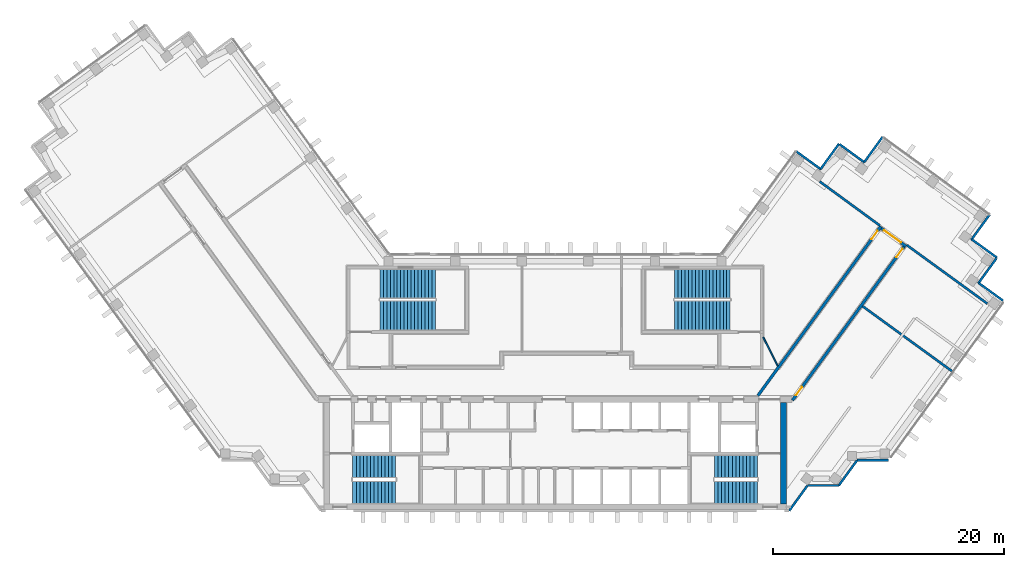
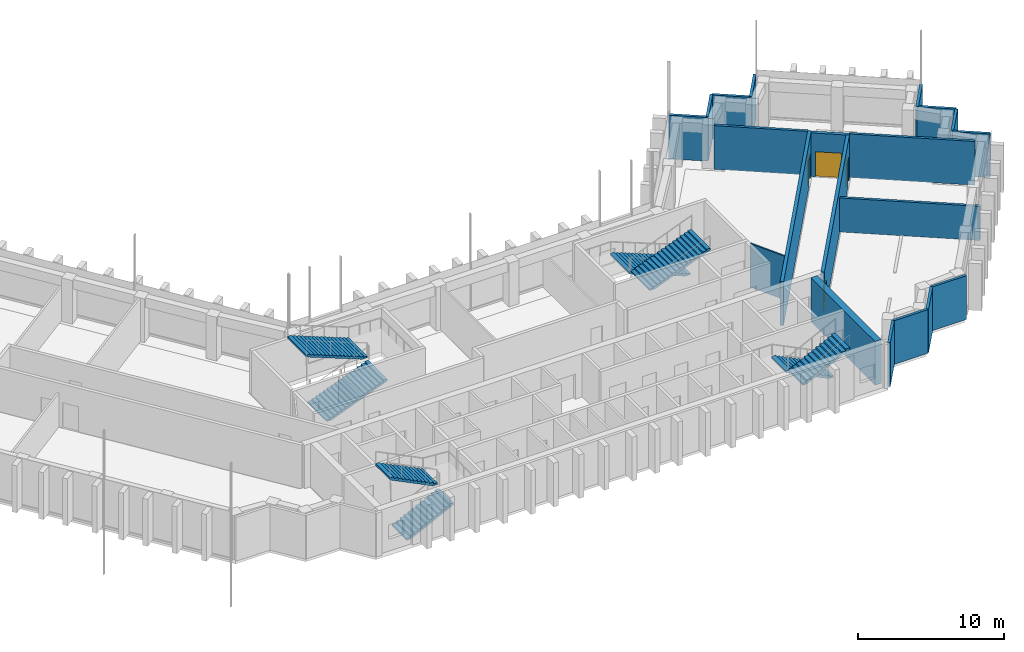
# One storey, part 10 of 12: 20 walls, 8 stair flights, 4 doors, 4 openings, 4 elements without a shape of their own.
"""IFC4 building model written with IfcOpenShell, lengths in metres."""

from ifc_helpers import new_model, si_unit, direction, frame, frame_2d, origin, place, context, subcontext, project, spatial, polyline, rectangle, outline, extrude, material, layer, layer_set, type_object, element, fill, aggregate, save


model = new_model("IFC4")

# Units and contexts
model_context = context("Model", 3, precision=1e-05, world=origin(), true_north=direction((0.0, 1.0)))
body_context = subcontext(model_context, "Body", "Model", "MODEL_VIEW")
ifc_project = project(units=[si_unit("LENGTHUNIT", "METRE"), si_unit("AREAUNIT", "SQUARE_METRE"), si_unit("VOLUMEUNIT", "CUBIC_METRE"), si_unit("PLANEANGLEUNIT", "RADIAN"), si_unit("MASSUNIT", "GRAM", prefix="KILO")], contexts=[model_context])

# Site, building, storey
site_placement = place(None, origin())
site = spatial("IfcSite", under=ifc_project, at=site_placement, CompositionType="ELEMENT")
building_placement = place(site_placement, origin())
building = spatial("IfcBuilding", under=site, at=building_placement, Name="Quipu Civic Tower", CompositionType="ELEMENT")
storey_placement = place(building_placement, frame((0.0, 0.0, 210.0)))
storey = spatial("IfcBuildingStorey", under=building, at=storey_placement, Name="L49", CompositionType="ELEMENT", Elevation=210.0)

# Walls
ifc_material_1 = material(Name="Fired clay blockwork", Category="masonry")
ifc_layer_1 = layer(ifc_material_1, 0.199951171875)
ifc_layer_set_1 = layer_set([ifc_layer_1], Name="Fired clay blockwork")
wall_type_1 = type_object("IfcWallType", Name="Blockwork wall 200", PredefinedType="SOLIDWALL", material=ifc_layer_set_1)
wall_1_placement = place(storey_placement, frame((34.40283203125, 0.937744140625, 0.0), z_axis=(0.0, 0.0, 1.0), x_axis=(-0.808990890476, 0.587821179549, 0.0)))
element("IfcWall", 1, at=wall_1_placement, inside=storey, type_object=wall_type_1, Name="Partition P06", PredefinedType="SOLIDWALL", context=body_context, shape_type="SweptSolid", body=[
    extrude(rectangle(XDim=9.651123046875, YDim=0.199951171875, at=frame_2d((4.82568359375, 0.0))), origin(), (0.0, 0.0, 1.0), 2.85009765625),
])
wall_2_placement = place(storey_placement, frame((22.884033203125, 17.400634765625, 0.0), z_axis=(0.0, 0.0, 1.0), x_axis=(0.80698686941, -0.590569380005, 0.0)))
element("IfcWall", 2, at=wall_2_placement, inside=storey, type_object=wall_type_1, Name="Partition P08", PredefinedType="SOLIDWALL", context=body_context, shape_type="SweptSolid", body=[
    extrude(rectangle(XDim=6.465087890625, YDim=0.199951171875, at=frame_2d((3.232421875, 0.0))), origin(), (0.0, 0.0, 1.0), 3.64990234375),
])
wall_3_placement = place(storey_placement, frame((30.414794921875, 11.901611328125, 0.0), z_axis=(0.0, 0.0, 1.0), x_axis=(0.809012783133, -0.587791048526, 0.0)))
element("IfcWall", 3, at=wall_3_placement, inside=storey, type_object=wall_type_1, Name="Partition P09", PredefinedType="SOLIDWALL", context=body_context, shape_type="SweptSolid", body=[
    extrude(rectangle(XDim=8.6201171875, YDim=0.199951171875, at=frame_2d((4.31005859375, 0.0))), origin(), (0.0, 0.0, 1.0), 3.64990234375),
])
ifc_material_2 = material(Name="Concrete C70/85", Category="concrete")
ifc_layer_2 = layer(ifc_material_2, 0.5)
ifc_layer_set_2 = layer_set([ifc_layer_2], Name="Concrete C70/85")
wall_type_2 = type_object("IfcWallType", Name="Core wall 500", PredefinedType="SHEAR", material=ifc_layer_set_2)
wall_4_placement = place(storey_placement, frame((19.75, -10.5, 0.0), z_axis=(0.0, 0.0, 1.0), x_axis=(0.0, 1.0, 0.0)))
element("IfcWall", 4, at=wall_4_placement, inside=storey, type_object=wall_type_2, Name="Core wall", PredefinedType="SHEAR", context=body_context, shape_type="SweptSolid", body=[
    extrude(rectangle(XDim=8.800048828125, YDim=0.5, at=frame_2d((4.39990234375, 0.0))), origin(), (0.0, 0.0, 1.0), 3.64990234375),
])

# Wall, opening, door
ifc_material_3 = material(Name="Concrete C50/60", Category="concrete")
ifc_layer_3 = layer(ifc_material_3, 0.25)
ifc_layer_set_3 = layer_set([ifc_layer_3], Name="Concrete C50/60")
wall_type_3 = type_object("IfcWallType", Name="Corridor wall 250 concrete", PredefinedType="SOLIDWALL", material=ifc_layer_set_3)
wall_5_placement = place(storey_placement, frame((17.544921875, -1.124755859375, 0.0), z_axis=(0.0, 0.0, 1.0), x_axis=(0.58779555165, 0.809009511354, 0.0)))
wall_5 = element("IfcWall", 5, at=wall_5_placement, inside=storey, type_object=wall_type_3, Name="Corridor wall C01", PredefinedType="SOLIDWALL", context=body_context, shape_type="SweptSolid", body=[
    extrude(rectangle(XDim=18.10302734375, YDim=0.25, at=frame_2d((9.051513671875, 0.0))), origin(), (0.0, 0.0, 1.0), 3.64990234375),
])
opening_1_placement = place(wall_5_placement, frame((16.72802734375, 0.0, 0.0)))
opening_1 = element("IfcOpeningElement", 6, at=opening_1_placement, cuts=wall_5, Name="Opening D001", PredefinedType="OPENING", context=body_context, shape_type="SweptSolid", body=[
    extrude(rectangle(XDim=0.89990234375, YDim=2.10009765625, at=frame_2d((0.449951171875, 1.050048828125))), frame((0.0, 0.135009765625, 0.0), z_axis=(0.0, -1.0, 0.0), x_axis=(1.0, 0.0, 0.0)), (0.0, 0.0, 1.0), 0.27001953125),
])
ifc_material_4 = material(Name="Fire rated timber door set with metal frame", Category="wood")
door_type_1 = type_object("IfcDoorType", Name="Single door 900 x 2100 FD60", OperationType="NOTDEFINED", PredefinedType="DOOR", material=ifc_material_4)
door_1_placement = place(opening_1_placement, origin())
door_1 = element("IfcDoor", 7, at=door_1_placement, inside=storey, type_object=door_type_1, Name="Door D001", OperationType="SINGLE_SWING_RIGHT", OverallHeight=2.10009765625, OverallWidth=0.89990234375, PredefinedType="DOOR", context=body_context, shape_type="SweptSolid", body=[
    extrude(rectangle(XDim=0.89990234375, YDim=2.10009765625, at=frame_2d((0.449951171875, 1.050048828125))), frame((0.0, 0.02490234375, 0.0), z_axis=(0.0, -1.0, 0.0), x_axis=(1.0, 0.0, 0.0)), (0.0, 0.0, 1.0), 0.050048828125),
])
fill(opening_1, door_1)

wall_6_placement = place(storey_placement, frame((28.21337890625, 13.34619140625, 0.0), z_axis=(0.0, 0.0, 1.0), x_axis=(0.809006914995, -0.587799125119, 0.0)))
wall_6 = element("IfcWall", 8, at=wall_6_placement, inside=storey, type_object=wall_type_3, Name="Corridor wall C02", PredefinedType="SOLIDWALL", context=body_context, shape_type="SweptSolid", body=[
    extrude(rectangle(XDim=2.64990234375, YDim=0.25, at=frame_2d((1.324951171875, 0.0))), origin(), (0.0, 0.0, 1.0), 3.64990234375),
])
opening_2_placement = place(wall_6_placement, frame((0.30029296875, 0.0, 0.0)))
opening_2 = element("IfcOpeningElement", 9, at=opening_2_placement, cuts=wall_6, Name="Opening D004", PredefinedType="OPENING", context=body_context, shape_type="SweptSolid", body=[
    extrude(rectangle(XDim=1.800048828125, YDim=2.10009765625, at=frame_2d((0.89990234375, 1.050048828125))), frame((0.0, 0.135009765625, 0.0), z_axis=(0.0, -1.0, 0.0), x_axis=(1.0, 0.0, 0.0)), (0.0, 0.0, 1.0), 0.27001953125),
])
ifc_material_5 = material(Name="Fire rated timber door set with metal frame", Category="wood")
door_type_2 = type_object("IfcDoorType", Name="Double door 1800 x 2100 FD60", OperationType="DOUBLE_DOOR_SINGLE_SWING", PredefinedType="DOOR", material=ifc_material_5)
door_2_placement = place(opening_2_placement, origin())
door_2 = element("IfcDoor", 10, at=door_2_placement, inside=storey, type_object=door_type_2, Name="Door D004", OperationType="DOUBLE_DOOR_SINGLE_SWING", OverallHeight=2.10009765625, OverallWidth=1.800048828125, PredefinedType="DOOR", context=body_context, shape_type="SweptSolid", body=[
    extrude(rectangle(XDim=1.800048828125, YDim=2.10009765625, at=frame_2d((0.89990234375, 1.050048828125))), frame((0.0, 0.02490234375, 0.0), z_axis=(0.0, -1.0, 0.0), x_axis=(1.0, 0.0, 0.0)), (0.0, 0.0, 1.0), 0.050048828125),
])
fill(opening_2, door_2)

# Wall, openings, doors
wall_7_placement = place(storey_placement, frame((30.1826171875, 11.760986328125, 0.0), z_axis=(0.0, 0.0, 1.0), x_axis=(-0.587781762867, -0.80901952958, 0.0)))
wall_7 = element("IfcWall", 11, at=wall_7_placement, inside=storey, type_object=wall_type_3, Name="Corridor wall C03", PredefinedType="SOLIDWALL", context=body_context, shape_type="SweptSolid", body=[
    extrude(rectangle(XDim=16.42041015625, YDim=0.25, at=frame_2d((8.210205078125, 0.0))), origin(), (0.0, 0.0, 1.0), 3.64990234375),
])
opening_3_placement = place(wall_7_placement, frame((14.987548828125, 0.0, 0.0)))
opening_3 = element("IfcOpeningElement", 12, at=opening_3_placement, cuts=wall_7, Name="Opening D002", PredefinedType="OPENING", context=body_context, shape_type="SweptSolid", body=[
    extrude(rectangle(XDim=0.89990234375, YDim=2.10009765625, at=frame_2d((0.449951171875, 1.050048828125))), frame((0.0, 0.135009765625, 0.0), z_axis=(0.0, -1.0, 0.0), x_axis=(1.0, 0.0, 0.0)), (0.0, 0.0, 1.0), 0.27001953125),
])
opening_4_placement = place(wall_7_placement, frame((0.224609375, 0.0, 0.0)))
opening_4 = element("IfcOpeningElement", 13, at=opening_4_placement, cuts=wall_7, Name="Opening D003", PredefinedType="OPENING", context=body_context, shape_type="SweptSolid", body=[
    extrude(rectangle(XDim=0.89990234375, YDim=2.10009765625, at=frame_2d((0.449951171875, 1.050048828125))), frame((0.0, 0.135009765625, 0.0), z_axis=(0.0, -1.0, 0.0), x_axis=(1.0, 0.0, 0.0)), (0.0, 0.0, 1.0), 0.27001953125),
])
door_3_placement = place(opening_3_placement, origin())
door_3 = element("IfcDoor", 14, at=door_3_placement, inside=storey, type_object=door_type_1, Name="Door D002", OperationType="SINGLE_SWING_RIGHT", OverallHeight=2.10009765625, OverallWidth=0.89990234375, PredefinedType="DOOR", context=body_context, shape_type="SweptSolid", body=[
    extrude(rectangle(XDim=0.89990234375, YDim=2.10009765625, at=frame_2d((0.449951171875, 1.050048828125))), frame((0.0, 0.02490234375, 0.0), z_axis=(0.0, -1.0, 0.0), x_axis=(1.0, 0.0, 0.0)), (0.0, 0.0, 1.0), 0.050048828125),
])
fill(opening_3, door_3)
door_4_placement = place(opening_4_placement, origin())
door_4 = element("IfcDoor", 15, at=door_4_placement, inside=storey, type_object=door_type_1, Name="Door D003", OperationType="SINGLE_SWING_LEFT", OverallHeight=2.10009765625, OverallWidth=0.89990234375, PredefinedType="DOOR", context=body_context, shape_type="SweptSolid", body=[
    extrude(rectangle(XDim=0.89990234375, YDim=2.10009765625, at=frame_2d((0.449951171875, 1.050048828125))), frame((0.0, 0.02490234375, 0.0), z_axis=(0.0, -1.0, 0.0), x_axis=(1.0, 0.0, 0.0)), (0.0, 0.0, 1.0), 0.050048828125),
])
fill(opening_4, door_4)

# Walls
ifc_material_6 = material(Name="Gypsum plasterboard on light gauge framing")
ifc_layer_4 = layer(ifc_material_6, 0.1201171875)
ifc_layer_set_4 = layer_set([ifc_layer_4], Name="Gypsum plasterboard on light gauge framing")
wall_type_4 = type_object("IfcWallType", Name="Partition 120 plasterboard", PredefinedType="PARTITIONING", material=ifc_layer_set_4)
wall_8_placement = place(storey_placement, frame((18.0, 3.925048828125, 0.0), z_axis=(0.0, 0.0, 1.0), x_axis=(0.453950796792, -0.891026752736, 0.0)))
element("IfcWall", 16, at=wall_8_placement, inside=storey, type_object=wall_type_4, Name="Partition P11", PredefinedType="PARTITIONING", context=body_context, shape_type="SweptSolid", body=[
    extrude(rectangle(XDim=2.77783203125, YDim=0.1201171875, at=frame_2d((1.388916015625, 0.0))), origin(), (0.0, 0.0, 1.0), 3.64990234375),
])
ifc_material_7 = material(Name="Precast concrete C40/50", Category="concrete")
wall_type_5 = type_object("IfcWallType", Name="Precast cladding wall", PredefinedType="SOLIDWALL", material=ifc_material_7)
wall_9_placement = place(storey_placement, frame((38.747802734375, 7.08984375, 0.0), z_axis=(0.0, 0.0, 1.0), x_axis=(-0.80901210161, 0.587791986546, 0.0)))
element("IfcWall", 17, at=wall_9_placement, inside=storey, type_object=wall_type_5, Name="Precast cladding wall L49 P01", PredefinedType="SOLIDWALL", context=body_context, shape_type="SweptSolid", body=[
    extrude(rectangle(XDim=2.60009765625, YDim=0.199951171875, at=frame_2d((1.300048828125, 0.0))), origin(), (0.0, 0.0, 1.0), 3.64990234375),
])
for number, where, z_axis, x_axis, name in (
    (18, (36.60205078125, 8.580322265625, 0.0), (0.0, 0.0, 1.0), (0.587822180636, 0.808990163075, 0.0), "Precast cladding wall L49 P02"),
    (19, (38.231201171875, 10.80224609375, 0.0), (0.0, 0.0, 1.0), (-0.808958916286, 0.58786518162, 0.0), "Precast cladding wall L49 P03"),
):
    element("IfcWall", number, at=place(storey_placement, frame(where, z_axis=z_axis, x_axis=x_axis)), inside=storey, type_object=wall_type_5, Name=name, PredefinedType="SOLIDWALL", context=body_context, shape_type="SweptSolid", body=[
        extrude(rectangle(XDim=2.699951171875, YDim=0.199951171875, at=frame_2d((1.35009765625, 0.0))), origin(), (0.0, 0.0, 1.0), 3.64990234375),
    ])
wall_10_placement = place(storey_placement, frame((20.253173828125, -11.083251953125, 0.0), z_axis=(0.0, 0.0, 1.0), x_axis=(0.587766567315, 0.809030569476, 0.0)))
element("IfcWall", 20, at=wall_10_placement, inside=storey, type_object=wall_type_5, Name="Precast cladding wall L49 P23", PredefinedType="SOLIDWALL", context=body_context, shape_type="SweptSolid", body=[
    extrude(rectangle(XDim=2.687744140625, YDim=0.199951171875, at=frame_2d((1.34375, 0.0))), origin(), (0.0, 0.0, 1.0), 3.64990234375),
])
for number, where, z_axis, x_axis, name in (
    (21, (36.0048828125, 12.3515625, 0.0), (0.0, 0.0, 1.0), (0.587762999008, 0.809033161865, 0.0), "Precast cladding wall L49 P24"),
    (22, (28.333984375, 21.26220703125, 0.0), (0.0, 0.0, 1.0), (-0.587762999008, -0.809033161865, 0.0), "Precast cladding wall L49 P26"),
):
    element("IfcWall", number, at=place(storey_placement, frame(where, z_axis=z_axis, x_axis=x_axis)), inside=storey, type_object=wall_type_5, Name=name, PredefinedType="SOLIDWALL", context=body_context, shape_type="SweptSolid", body=[
        extrude(rectangle(XDim=2.699951171875, YDim=0.199951171875, at=frame_2d((1.35009765625, 0.0))), origin(), (0.0, 0.0, 1.0), 3.64990234375),
    ])
wall_11_placement = place(storey_placement, frame((26.78466796875, 19.03564453125, 0.0), z_axis=(0.0, 0.0, 1.0), x_axis=(-0.809064397168, 0.587720002413, 0.0)))
element("IfcWall", 23, at=wall_11_placement, inside=storey, type_object=wall_type_5, Name="Precast cladding wall L49 P27", PredefinedType="SOLIDWALL", context=body_context, shape_type="SweptSolid", body=[
    extrude(rectangle(XDim=2.7001953125, YDim=0.199951171875, at=frame_2d((1.35009765625, 0.0))), origin(), (0.0, 0.0, 1.0), 3.64990234375),
])
for number, where, z_axis, x_axis, name in (
    (24, (24.562744140625, 20.664794921875, 0.0), (0.0, 0.0, 1.0), (-0.587822180636, -0.808990163075, 0.0), "Precast cladding wall L49 P28"),
    (25, (23.01318359375, 18.438232421875, 0.0), (0.0, 0.0, 1.0), (-0.808990163075, 0.587822180636, 0.0), "Precast cladding wall L49 P29"),
    (26, (21.8427734375, -8.90380859375, 0.0), (0.0, 0.0, 1.0), (1.0, 0.0, 0.0), "Precast cladding wall L49 1"),
):
    element("IfcWall", number, at=place(storey_placement, frame(where, z_axis=z_axis, x_axis=x_axis)), inside=storey, type_object=wall_type_5, Name=name, PredefinedType="SOLIDWALL", context=body_context, shape_type="SweptSolid", body=[
        extrude(rectangle(XDim=2.699951171875, YDim=0.199951171875, at=frame_2d((1.35009765625, 0.0))), origin(), (0.0, 0.0, 1.0), 3.64990234375),
    ])
wall_12_placement = place(storey_placement, frame((24.533203125, -8.90869140625, 0.0), z_axis=(0.0, 0.0, 1.0), x_axis=(0.587720002413, 0.809064397168, 0.0)))
element("IfcWall", 27, at=wall_12_placement, inside=storey, type_object=wall_type_5, Name="Precast cladding wall L49 2", PredefinedType="SOLIDWALL", context=body_context, shape_type="SweptSolid", body=[
    extrude(rectangle(XDim=2.7001953125, YDim=0.199951171875, at=frame_2d((1.35009765625, 0.0))), origin(), (0.0, 0.0, 1.0), 3.64990234375),
])
wall_13_placement = place(storey_placement, frame((26.1298828125, -6.71923828125, 0.0), z_axis=(0.0, 0.0, 1.0), x_axis=(1.0, 0.0, 0.0)))
element("IfcWall", 28, at=wall_13_placement, inside=storey, type_object=wall_type_5, Name="Precast cladding wall L49 3", PredefinedType="SOLIDWALL", context=body_context, shape_type="SweptSolid", body=[
    extrude(rectangle(XDim=2.699951171875, YDim=0.199951171875, at=frame_2d((1.35009765625, 0.0))), origin(), (0.0, 0.0, 1.0), 3.64990234375),
])

# Stair, stair flights
ifc_material_8 = material(Name="Concrete C40/50", Category="concrete")
stair_type_1 = type_object("IfcStairType", Name="Half turn stair 2000", PredefinedType="HALF_TURN_STAIR", material=ifc_material_8)
stair_1_placement = place(storey_placement, origin())
stair_1 = element("IfcStair", 29, at=stair_1_placement, inside=storey, type_object=stair_type_1, Name="Exit stair 1", PredefinedType="HALF_TURN_STAIR")
ifc_material_9 = material(Name="Concrete C40/50", Category="concrete")
stair_flight_type_1 = type_object("IfcStairFlightType", Name="Stair flight 2000", PredefinedType="STRAIGHT", material=ifc_material_9)
stair_flight_1_placement = place(storey_placement, frame((-17.5, -9.5, 0.0), z_axis=(0.0, 0.0, 1.0), x_axis=(1.0, 0.0, 0.0)))
stair_flight_1 = element("IfcStairFlight", 30, at=stair_flight_1_placement, type_object=stair_flight_type_1, Name="ST-1 flight 1", NumberOfRisers=13, NumberOfTreads=12, PredefinedType="STRAIGHT", RiserHeight=0.153846154, TreadLength=0.31, context=body_context, shape_type="SweptSolid", body=[
    extrude(outline(polyline([(0.0, 0.0), (0.0, 0.15380859375), (0.31005859375, 0.15380859375), (0.31005859375, 0.3076171875), (0.6201171875, 0.3076171875), (0.6201171875, 0.46142578125), (0.929931640625, 0.46142578125), (0.929931640625, 0.615478515625), (1.239990234375, 0.615478515625), (1.239990234375, 0.769287109375), (1.550048828125, 0.769287109375), (1.550048828125, 0.923095703125), (1.860107421875, 0.923095703125), (1.860107421875, 1.076904296875), (2.169921875, 1.076904296875), (2.169921875, 1.230712890625), (2.47998046875, 1.230712890625), (2.47998046875, 1.384521484375), (2.7900390625, 1.384521484375), (2.7900390625, 1.53857421875), (3.10009765625, 1.53857421875), (3.10009765625, 1.6923828125), (3.409912109375, 1.6923828125), (3.409912109375, 1.84619140625), (3.719970703125, 1.84619140625), (3.719970703125, 2.0), (3.719970703125, 1.6787109375), (0.337158203125, 0.0), (0.0, 0.0)])), frame((0.0, 1.0, 0.0), z_axis=(0.0, -1.0, 0.0), x_axis=(1.0, 0.0, 0.0)), (0.0, 0.0, 1.0), 2.0),
])
stair_flight_2_placement = place(storey_placement, frame((-13.780029296875, -7.25, 2.0), z_axis=(0.0, 0.0, 1.0), x_axis=(-1.0, 0.0, 0.0)))
stair_flight_2 = element("IfcStairFlight", 31, at=stair_flight_2_placement, type_object=stair_flight_type_1, Name="ST-1 flight 2", NumberOfRisers=13, NumberOfTreads=12, PredefinedType="STRAIGHT", RiserHeight=0.153846154, TreadLength=0.31, context=body_context, shape_type="SweptSolid", body=[
    extrude(outline(polyline([(0.0, 0.0), (0.0, 0.15380859375), (0.31005859375, 0.15380859375), (0.31005859375, 0.3076171875), (0.6201171875, 0.3076171875), (0.6201171875, 0.46142578125), (0.929931640625, 0.46142578125), (0.929931640625, 0.615478515625), (1.239990234375, 0.615478515625), (1.239990234375, 0.769287109375), (1.550048828125, 0.769287109375), (1.550048828125, 0.923095703125), (1.860107421875, 0.923095703125), (1.860107421875, 1.076904296875), (2.169921875, 1.076904296875), (2.169921875, 1.230712890625), (2.47998046875, 1.230712890625), (2.47998046875, 1.384521484375), (2.7900390625, 1.384521484375), (2.7900390625, 1.53857421875), (3.10009765625, 1.53857421875), (3.10009765625, 1.6923828125), (3.409912109375, 1.6923828125), (3.409912109375, 1.84619140625), (3.719970703125, 1.84619140625), (3.719970703125, 2.0), (3.719970703125, 1.6787109375), (0.337158203125, 0.0), (0.0, 0.0)])), frame((0.0, 1.0, 0.0), z_axis=(0.0, -1.0, 0.0), x_axis=(1.0, 0.0, 0.0)), (0.0, 0.0, 1.0), 2.0),
])
aggregate(stair_1, [stair_flight_1, stair_flight_2])

stair_2_placement = place(storey_placement, origin())
stair_2 = element("IfcStair", 32, at=stair_2_placement, inside=storey, type_object=stair_type_1, Name="Exit stair 2", PredefinedType="HALF_TURN_STAIR")
stair_flight_3_placement = place(storey_placement, frame((17.5, -7.25, 0.0), z_axis=(0.0, 0.0, 1.0), x_axis=(-1.0, 0.0, 0.0)))
stair_flight_3 = element("IfcStairFlight", 33, at=stair_flight_3_placement, type_object=stair_flight_type_1, Name="ST-2 flight 1", NumberOfRisers=13, NumberOfTreads=12, PredefinedType="STRAIGHT", RiserHeight=0.153846154, TreadLength=0.31, context=body_context, shape_type="SweptSolid", body=[
    extrude(outline(polyline([(0.0, 0.0), (0.0, 0.15380859375), (0.31005859375, 0.15380859375), (0.31005859375, 0.3076171875), (0.6201171875, 0.3076171875), (0.6201171875, 0.46142578125), (0.929931640625, 0.46142578125), (0.929931640625, 0.615478515625), (1.239990234375, 0.615478515625), (1.239990234375, 0.769287109375), (1.550048828125, 0.769287109375), (1.550048828125, 0.923095703125), (1.860107421875, 0.923095703125), (1.860107421875, 1.076904296875), (2.169921875, 1.076904296875), (2.169921875, 1.230712890625), (2.47998046875, 1.230712890625), (2.47998046875, 1.384521484375), (2.7900390625, 1.384521484375), (2.7900390625, 1.53857421875), (3.10009765625, 1.53857421875), (3.10009765625, 1.6923828125), (3.409912109375, 1.6923828125), (3.409912109375, 1.84619140625), (3.719970703125, 1.84619140625), (3.719970703125, 2.0), (3.719970703125, 1.6787109375), (0.337158203125, 0.0), (0.0, 0.0)])), frame((0.0, 1.0, 0.0), z_axis=(0.0, -1.0, 0.0), x_axis=(1.0, 0.0, 0.0)), (0.0, 0.0, 1.0), 2.0),
])
stair_flight_4_placement = place(storey_placement, frame((13.780029296875, -9.5, 2.0), z_axis=(0.0, 0.0, 1.0), x_axis=(1.0, 0.0, 0.0)))
stair_flight_4 = element("IfcStairFlight", 34, at=stair_flight_4_placement, type_object=stair_flight_type_1, Name="ST-2 flight 2", NumberOfRisers=13, NumberOfTreads=12, PredefinedType="STRAIGHT", RiserHeight=0.153846154, TreadLength=0.31, context=body_context, shape_type="SweptSolid", body=[
    extrude(outline(polyline([(0.0, 0.0), (0.0, 0.15380859375), (0.31005859375, 0.15380859375), (0.31005859375, 0.3076171875), (0.6201171875, 0.3076171875), (0.6201171875, 0.46142578125), (0.929931640625, 0.46142578125), (0.929931640625, 0.615478515625), (1.239990234375, 0.615478515625), (1.239990234375, 0.769287109375), (1.550048828125, 0.769287109375), (1.550048828125, 0.923095703125), (1.860107421875, 0.923095703125), (1.860107421875, 1.076904296875), (2.169921875, 1.076904296875), (2.169921875, 1.230712890625), (2.47998046875, 1.230712890625), (2.47998046875, 1.384521484375), (2.7900390625, 1.384521484375), (2.7900390625, 1.53857421875), (3.10009765625, 1.53857421875), (3.10009765625, 1.6923828125), (3.409912109375, 1.6923828125), (3.409912109375, 1.84619140625), (3.719970703125, 1.84619140625), (3.719970703125, 2.0), (3.719970703125, 1.6787109375), (0.337158203125, 0.0), (0.0, 0.0)])), frame((0.0, 1.0, 0.0), z_axis=(0.0, -1.0, 0.0), x_axis=(1.0, 0.0, 0.0)), (0.0, 0.0, 1.0), 2.0),
])
aggregate(stair_2, [stair_flight_3, stair_flight_4])

ifc_material_10 = material(Name="Concrete C40/50", Category="concrete")
stair_type_2 = type_object("IfcStairType", Name="Half turn stair 2600", PredefinedType="HALF_TURN_STAIR", material=ifc_material_10)
stair_3_placement = place(storey_placement, origin())
stair_3 = element("IfcStair", 35, at=stair_3_placement, inside=storey, type_object=stair_type_2, Name="Exit stair 3", PredefinedType="HALF_TURN_STAIR")
ifc_material_11 = material(Name="Concrete C40/50", Category="concrete")
stair_flight_type_2 = type_object("IfcStairFlightType", Name="Stair flight 2600", PredefinedType="STRAIGHT", material=ifc_material_11)
stair_flight_5_placement = place(storey_placement, frame((-15.14990234375, 5.800048828125, 0.0), z_axis=(0.0, 0.0, 1.0), x_axis=(1.0, 0.0, 0.0)))
stair_flight_5 = element("IfcStairFlight", 36, at=stair_flight_5_placement, type_object=stair_flight_type_2, Name="ST-3 flight 1", NumberOfRisers=17, NumberOfTreads=16, PredefinedType="STRAIGHT", RiserHeight=0.117647059, TreadLength=0.3, context=body_context, shape_type="SweptSolid", body=[
    extrude(outline(polyline([(0.0, 0.0), (0.0, 0.11767578125), (0.300048828125, 0.11767578125), (0.300048828125, 0.2353515625), (0.60009765625, 0.2353515625), (0.60009765625, 0.35302734375), (0.89990234375, 0.35302734375), (0.89990234375, 0.470703125), (1.199951171875, 0.470703125), (1.199951171875, 0.588134765625), (1.5, 0.588134765625), (1.5, 0.705810546875), (1.800048828125, 0.705810546875), (1.800048828125, 0.823486328125), (2.10009765625, 0.823486328125), (2.10009765625, 0.941162109375), (2.39990234375, 0.941162109375), (2.39990234375, 1.058837890625), (2.699951171875, 1.058837890625), (2.699951171875, 1.176513671875), (3.0, 1.176513671875), (3.0, 1.294189453125), (3.300048828125, 1.294189453125), (3.300048828125, 1.411865234375), (3.60009765625, 1.411865234375), (3.60009765625, 1.529296875), (3.89990234375, 1.529296875), (3.89990234375, 1.64697265625), (4.199951171875, 1.64697265625), (4.199951171875, 1.7646484375), (4.5, 1.7646484375), (4.5, 1.88232421875), (4.800048828125, 1.88232421875), (4.800048828125, 2.0), (4.800048828125, 1.721435546875), (0.41064453125, 0.0), (0.0, 0.0)])), frame((0.0, 1.300048828125, 0.0), z_axis=(0.0, -1.0, 0.0), x_axis=(1.0, 0.0, 0.0)), (0.0, 0.0, 1.0), 2.60009765625),
])
stair_flight_6_placement = place(storey_placement, frame((-10.35009765625, 8.550048828125, 2.0), z_axis=(0.0, 0.0, 1.0), x_axis=(-1.0, 0.0, 0.0)))
stair_flight_6 = element("IfcStairFlight", 37, at=stair_flight_6_placement, type_object=stair_flight_type_2, Name="ST-3 flight 2", NumberOfRisers=17, NumberOfTreads=16, PredefinedType="STRAIGHT", RiserHeight=0.117647059, TreadLength=0.3, context=body_context, shape_type="SweptSolid", body=[
    extrude(outline(polyline([(0.0, 0.0), (0.0, 0.11767578125), (0.300048828125, 0.11767578125), (0.300048828125, 0.2353515625), (0.60009765625, 0.2353515625), (0.60009765625, 0.35302734375), (0.89990234375, 0.35302734375), (0.89990234375, 0.470703125), (1.199951171875, 0.470703125), (1.199951171875, 0.588134765625), (1.5, 0.588134765625), (1.5, 0.705810546875), (1.800048828125, 0.705810546875), (1.800048828125, 0.823486328125), (2.10009765625, 0.823486328125), (2.10009765625, 0.941162109375), (2.39990234375, 0.941162109375), (2.39990234375, 1.058837890625), (2.699951171875, 1.058837890625), (2.699951171875, 1.176513671875), (3.0, 1.176513671875), (3.0, 1.294189453125), (3.300048828125, 1.294189453125), (3.300048828125, 1.411865234375), (3.60009765625, 1.411865234375), (3.60009765625, 1.529296875), (3.89990234375, 1.529296875), (3.89990234375, 1.64697265625), (4.199951171875, 1.64697265625), (4.199951171875, 1.7646484375), (4.5, 1.7646484375), (4.5, 1.88232421875), (4.800048828125, 1.88232421875), (4.800048828125, 2.0), (4.800048828125, 1.721435546875), (0.41064453125, 0.0), (0.0, 0.0)])), frame((0.0, 1.300048828125, 0.0), z_axis=(0.0, -1.0, 0.0), x_axis=(1.0, 0.0, 0.0)), (0.0, 0.0, 1.0), 2.60009765625),
])
aggregate(stair_3, [stair_flight_5, stair_flight_6])

stair_4_placement = place(storey_placement, origin())
stair_4 = element("IfcStair", 38, at=stair_4_placement, inside=storey, type_object=stair_type_2, Name="Exit stair 4", PredefinedType="HALF_TURN_STAIR")
stair_flight_7_placement = place(storey_placement, frame((15.14990234375, 8.550048828125, 0.0), z_axis=(0.0, 0.0, 1.0), x_axis=(-1.0, 0.0, 0.0)))
stair_flight_7 = element("IfcStairFlight", 39, at=stair_flight_7_placement, type_object=stair_flight_type_2, Name="ST-4 flight 1", NumberOfRisers=17, NumberOfTreads=16, PredefinedType="STRAIGHT", RiserHeight=0.117647059, TreadLength=0.3, context=body_context, shape_type="SweptSolid", body=[
    extrude(outline(polyline([(0.0, 0.0), (0.0, 0.11767578125), (0.300048828125, 0.11767578125), (0.300048828125, 0.2353515625), (0.60009765625, 0.2353515625), (0.60009765625, 0.35302734375), (0.89990234375, 0.35302734375), (0.89990234375, 0.470703125), (1.199951171875, 0.470703125), (1.199951171875, 0.588134765625), (1.5, 0.588134765625), (1.5, 0.705810546875), (1.800048828125, 0.705810546875), (1.800048828125, 0.823486328125), (2.10009765625, 0.823486328125), (2.10009765625, 0.941162109375), (2.39990234375, 0.941162109375), (2.39990234375, 1.058837890625), (2.699951171875, 1.058837890625), (2.699951171875, 1.176513671875), (3.0, 1.176513671875), (3.0, 1.294189453125), (3.300048828125, 1.294189453125), (3.300048828125, 1.411865234375), (3.60009765625, 1.411865234375), (3.60009765625, 1.529296875), (3.89990234375, 1.529296875), (3.89990234375, 1.64697265625), (4.199951171875, 1.64697265625), (4.199951171875, 1.7646484375), (4.5, 1.7646484375), (4.5, 1.88232421875), (4.800048828125, 1.88232421875), (4.800048828125, 2.0), (4.800048828125, 1.721435546875), (0.41064453125, 0.0), (0.0, 0.0)])), frame((0.0, 1.300048828125, 0.0), z_axis=(0.0, -1.0, 0.0), x_axis=(1.0, 0.0, 0.0)), (0.0, 0.0, 1.0), 2.60009765625),
])
stair_flight_8_placement = place(storey_placement, frame((10.35009765625, 5.800048828125, 2.0), z_axis=(0.0, 0.0, 1.0), x_axis=(1.0, 0.0, 0.0)))
stair_flight_8 = element("IfcStairFlight", 40, at=stair_flight_8_placement, type_object=stair_flight_type_2, Name="ST-4 flight 2", NumberOfRisers=17, NumberOfTreads=16, PredefinedType="STRAIGHT", RiserHeight=0.117647059, TreadLength=0.3, context=body_context, shape_type="SweptSolid", body=[
    extrude(outline(polyline([(0.0, 0.0), (0.0, 0.11767578125), (0.300048828125, 0.11767578125), (0.300048828125, 0.2353515625), (0.60009765625, 0.2353515625), (0.60009765625, 0.35302734375), (0.89990234375, 0.35302734375), (0.89990234375, 0.470703125), (1.199951171875, 0.470703125), (1.199951171875, 0.588134765625), (1.5, 0.588134765625), (1.5, 0.705810546875), (1.800048828125, 0.705810546875), (1.800048828125, 0.823486328125), (2.10009765625, 0.823486328125), (2.10009765625, 0.941162109375), (2.39990234375, 0.941162109375), (2.39990234375, 1.058837890625), (2.699951171875, 1.058837890625), (2.699951171875, 1.176513671875), (3.0, 1.176513671875), (3.0, 1.294189453125), (3.300048828125, 1.294189453125), (3.300048828125, 1.411865234375), (3.60009765625, 1.411865234375), (3.60009765625, 1.529296875), (3.89990234375, 1.529296875), (3.89990234375, 1.64697265625), (4.199951171875, 1.64697265625), (4.199951171875, 1.7646484375), (4.5, 1.7646484375), (4.5, 1.88232421875), (4.800048828125, 1.88232421875), (4.800048828125, 2.0), (4.800048828125, 1.721435546875), (0.41064453125, 0.0), (0.0, 0.0)])), frame((0.0, 1.300048828125, 0.0), z_axis=(0.0, -1.0, 0.0), x_axis=(1.0, 0.0, 0.0)), (0.0, 0.0, 1.0), 2.60009765625),
])
aggregate(stair_4, [stair_flight_7, stair_flight_8])

save(model, "model.ifc")
